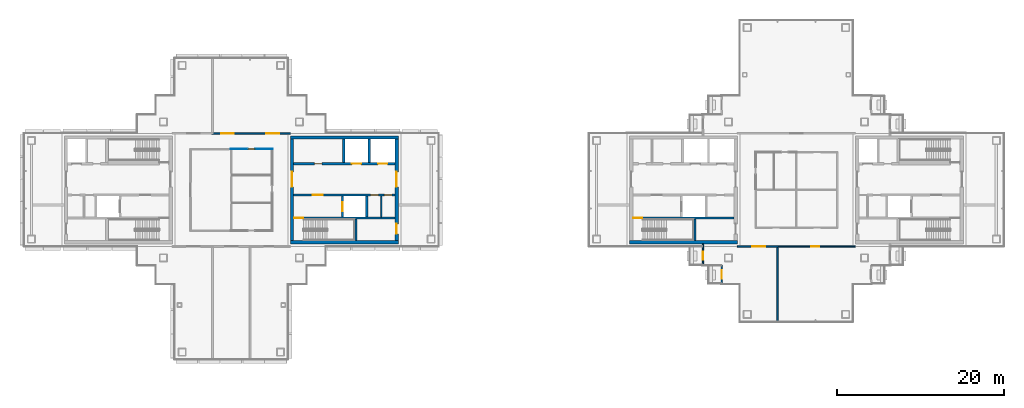
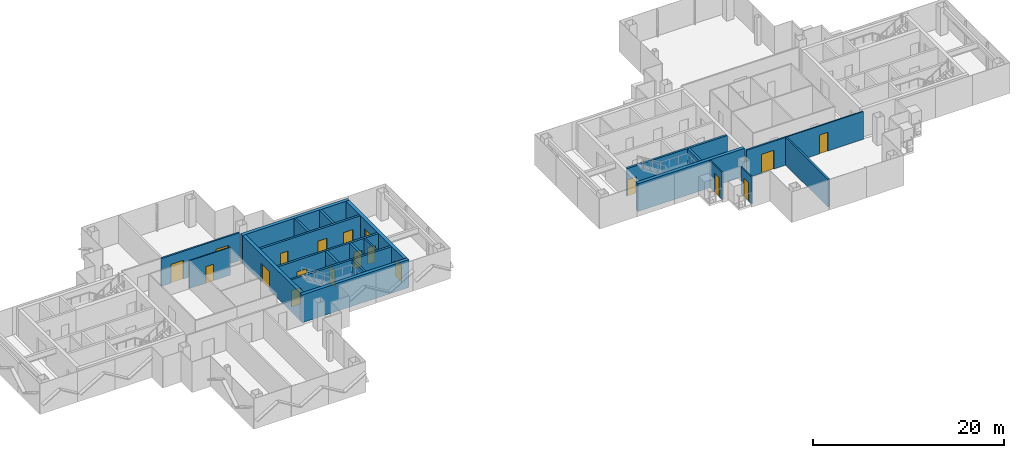
# One storey, part 10 of 17: 23 walls, 19 doors, 19 openings.
"""IFC4 building model written with IfcOpenShell, lengths in metres."""

from ifc_helpers import new_model, si_unit, direction, frame, frame_2d, origin, place, context, subcontext, project, spatial, rectangle, extrude, material, layer, layer_set, type_object, element, fill, save


model = new_model("IFC4")

# Units and contexts
model_context = context("Model", 3, precision=1e-05, world=origin(), true_north=direction((0.0, 1.0)))
body_context = subcontext(model_context, "Body", "Model", "MODEL_VIEW")
ifc_project = project(units=[si_unit("LENGTHUNIT", "METRE"), si_unit("AREAUNIT", "SQUARE_METRE"), si_unit("VOLUMEUNIT", "CUBIC_METRE"), si_unit("PLANEANGLEUNIT", "RADIAN"), si_unit("MASSUNIT", "GRAM", prefix="KILO")], contexts=[model_context])

# Site, building, storey
site_placement = place(None, origin())
site = spatial("IfcSite", under=ifc_project, at=site_placement, CompositionType="ELEMENT")
building_placement = place(site_placement, origin())
building = spatial("IfcBuilding", under=site, at=building_placement, Name="Shamsa Quay Exchange Towers", CompositionType="ELEMENT")
storey_placement = place(building_placement, frame((0.0, 0.0, 257.699951171875)))
storey = spatial("IfcBuildingStorey", under=building, at=storey_placement, Name="L62", CompositionType="ELEMENT", Elevation=257.699951171875)

# Wall, openings, doors
ifc_material_1 = material(Name="Double-leaf gypsum board partition with acoustic insulation")
ifc_layer_1 = layer(ifc_material_1, 0.199951171875)
ifc_layer_set_1 = layer_set([ifc_layer_1], Name="Acoustic partition 200 mm EI 60")
wall_type_1 = type_object("IfcWallType", Name="Acoustic partition 200 mm EI 60", PredefinedType="PARTITIONING", material=ifc_layer_set_1)
wall_1_placement = place(storey_placement, frame((-26.699951171875, 6.75, 0.0), z_axis=(0.0, 0.0, 1.0), x_axis=(-1.0, 0.0, 0.0)))
wall_1 = element("IfcWall", 1, at=wall_1_placement, inside=storey, type_object=wall_type_1, Name="Partition T1-R28-W08", PredefinedType="PARTITIONING", context=body_context, shape_type="SweptSolid", body=[
    extrude(rectangle(XDim=9.400146484375, YDim=0.199951171875, at=frame_2d((4.7001953125, 0.0))), origin(), (0.0, 0.0, 1.0), 3.550048828125),
])
opening_1_placement = place(wall_1_placement, frame((1.35009765625, 0.0, 0.0)))
opening_1 = element("IfcOpeningElement", 2, at=opening_1_placement, cuts=wall_1, Name="Opening T1-R28-D09", PredefinedType="OPENING", context=body_context, shape_type="SweptSolid", body=[
    extrude(rectangle(XDim=1.5, YDim=2.39990234375, at=frame_2d((0.75, 1.199951171875))), frame((0.0, 0.10986328125, 0.0), z_axis=(0.0, -1.0, 0.0), x_axis=(1.0, 0.0, 0.0)), (0.0, 0.0, 1.0), 0.219970703125),
])
opening_2_placement = place(wall_1_placement, frame((6.75, 0.0, 0.0)))
opening_2 = element("IfcOpeningElement", 3, at=opening_2_placement, cuts=wall_1, Name="Opening T1-R28-D10", PredefinedType="OPENING", context=body_context, shape_type="SweptSolid", body=[
    extrude(rectangle(XDim=1.5, YDim=2.39990234375, at=frame_2d((0.75, 1.199951171875))), frame((0.0, 0.10986328125, 0.0), z_axis=(0.0, -1.0, 0.0), x_axis=(1.0, 0.0, 0.0)), (0.0, 0.0, 1.0), 0.219970703125),
])
ifc_material_2 = material(Name="Timber door leaf in a metal frame", Category="wood")
door_type_1 = type_object("IfcDoorType", Name="Door 1500x2400 FD30S pair", OperationType="NOTDEFINED", PredefinedType="DOOR", material=ifc_material_2)
door_1_placement = place(opening_1_placement, origin())
door_1 = element("IfcDoor", 4, at=door_1_placement, inside=storey, type_object=door_type_1, Name="Door T1-R28-D09", OperationType="DOUBLE_DOOR_SINGLE_SWING", OverallHeight=2.39990234375, OverallWidth=1.5, PredefinedType="DOOR", context=body_context, shape_type="SweptSolid", body=[
    extrude(rectangle(XDim=1.5, YDim=2.39990234375, at=frame_2d((0.75, 1.199951171875))), frame((0.0, 0.02490234375, 0.0), z_axis=(0.0, -1.0, 0.0), x_axis=(1.0, 0.0, 0.0)), (0.0, 0.0, 1.0), 0.050048828125),
])
fill(opening_1, door_1)
door_2_placement = place(opening_2_placement, origin())
door_2 = element("IfcDoor", 5, at=door_2_placement, inside=storey, type_object=door_type_1, Name="Door T1-R28-D10", OperationType="DOUBLE_DOOR_SINGLE_SWING", OverallHeight=2.39990234375, OverallWidth=1.5, PredefinedType="DOOR", context=body_context, shape_type="SweptSolid", body=[
    extrude(rectangle(XDim=1.5, YDim=2.39990234375, at=frame_2d((0.75, 1.199951171875))), frame((0.0, 0.02490234375, 0.0), z_axis=(0.0, -1.0, 0.0), x_axis=(1.0, 0.0, 0.0)), (0.0, 0.0, 1.0), 0.050048828125),
])
fill(opening_2, door_2)

# Wall, opening, door
wall_2_placement = place(storey_placement, frame((31.60009765625, -6.75, 0.0), z_axis=(0.0, 0.0, 1.0), x_axis=(-1.0, 0.0, 0.0)))
wall_2 = element("IfcWall", 6, at=wall_2_placement, inside=storey, type_object=wall_type_1, Name="Partition T2-R28-W09", PredefinedType="PARTITIONING", context=body_context, shape_type="SweptSolid", body=[
    extrude(rectangle(XDim=4.900146484375, YDim=0.199951171875, at=frame_2d((2.4501953125, 0.0))), origin(), (0.0, 0.0, 1.0), 3.550048828125),
])
opening_3_placement = place(wall_2_placement, frame((1.60009765625, 0.0, 0.0)))
opening_3 = element("IfcOpeningElement", 7, at=opening_3_placement, cuts=wall_2, Name="Opening T2-R28-D08", PredefinedType="OPENING", context=body_context, shape_type="SweptSolid", body=[
    extrude(rectangle(XDim=1.5, YDim=2.39990234375, at=frame_2d((0.75, 1.199951171875))), frame((0.0, 0.10986328125, 0.0), z_axis=(0.0, -1.0, 0.0), x_axis=(1.0, 0.0, 0.0)), (0.0, 0.0, 1.0), 0.219970703125),
])
door_3_placement = place(opening_3_placement, origin())
door_3 = element("IfcDoor", 8, at=door_3_placement, inside=storey, type_object=door_type_1, Name="Door T2-R28-D08", OperationType="DOUBLE_DOOR_SINGLE_SWING", OverallHeight=2.39990234375, OverallWidth=1.5, PredefinedType="DOOR", context=body_context, shape_type="SweptSolid", body=[
    extrude(rectangle(XDim=1.5, YDim=2.39990234375, at=frame_2d((0.75, 1.199951171875))), frame((0.0, 0.02490234375, 0.0), z_axis=(0.0, -1.0, 0.0), x_axis=(1.0, 0.0, 0.0)), (0.0, 0.0, 1.0), 0.050048828125),
])
fill(opening_3, door_3)

# Wall
wall_3_placement = place(storey_placement, frame((31.5, -6.85009765625, 0.0), z_axis=(0.0, 0.0, 1.0), x_axis=(0.0, -1.0, 0.0)))
element("IfcWall", 9, at=wall_3_placement, inside=storey, type_object=wall_type_1, Name="Partition T2-R28-W13", PredefinedType="PARTITIONING", context=body_context, shape_type="SweptSolid", body=[
    extrude(rectangle(XDim=8.804931640625, YDim=0.199951171875, at=frame_2d((4.40234375, 0.0))), origin(), (0.0, 0.0, 1.0), 3.550048828125),
])

# Wall, opening, door
ifc_material_3 = material(Name="Aluminium EN AW-6063 T6, black anodised, with black enamelled glass infill", Category="aluminium")
ifc_layer_2 = layer(ifc_material_3, 0.14990234375)
ifc_layer_set_2 = layer_set([ifc_layer_2], Name="BALCONY DOOR BAY WALL 150")
wall_type_2 = type_object("IfcWallType", Name="BALCONY DOOR BAY WALL 150", PredefinedType="SOLIDWALL", material=ifc_layer_set_2)
wall_4_placement = place(storey_placement, frame((22.574951171875, -9.0, 0.0), z_axis=(0.0, 0.0, 1.0), x_axis=(0.0, 1.0, 0.0)))
wall_4 = element("IfcWall", 10, at=wall_4_placement, inside=storey, type_object=wall_type_2, Name="Door bay T2-PKWN L62", PredefinedType="SOLIDWALL", context=body_context, shape_type="SweptSolid", body=[
    extrude(rectangle(XDim=2.556884765625, YDim=0.14990234375, at=frame_2d((1.2783203125, 0.0))), origin(), (0.0, 0.0, 1.0), 3.449951171875),
])
opening_4_placement = place(wall_4_placement, frame((0.625, 0.0, 0.0)))
opening_4 = element("IfcOpeningElement", 11, at=opening_4_placement, cuts=wall_4, Name="Opening XD421", PredefinedType="OPENING", context=body_context, shape_type="SweptSolid", body=[
    extrude(rectangle(XDim=1.0, YDim=2.39990234375, at=frame_2d((0.5, 1.199951171875))), frame((0.0, 0.0849609375, 0.0), z_axis=(0.0, -1.0, 0.0), x_axis=(1.0, 0.0, 0.0)), (0.0, 0.0, 1.0), 0.169921875),
])
ifc_material_4 = material(Name="Aluminium EN AW-6063 T6, black anodised, with laminated glass leaf", Category="aluminium")
door_type_2 = type_object("IfcDoorType", Name="BALCONY DOOR 1000x2400", OperationType="SINGLE_SWING_LEFT", PredefinedType="DOOR", material=ifc_material_4)
door_4_placement = place(opening_4_placement, origin())
door_4 = element("IfcDoor", 12, at=door_4_placement, inside=storey, type_object=door_type_2, Name="Balcony door T2-PKWN L62", OperationType="SINGLE_SWING_LEFT", OverallHeight=2.39990234375, OverallWidth=1.0, PredefinedType="DOOR", context=body_context, shape_type="SweptSolid", body=[
    extrude(rectangle(XDim=1.0, YDim=2.39990234375, at=frame_2d((0.5, 1.199951171875))), frame((0.0, 0.02490234375, 0.0), z_axis=(0.0, -1.0, 0.0), x_axis=(1.0, 0.0, 0.0)), (0.0, 0.0, 1.0), 0.050048828125),
])
fill(opening_4, door_4)

wall_5_placement = place(storey_placement, frame((24.824951171875, -11.25, 0.0), z_axis=(0.0, 0.0, 1.0), x_axis=(0.0, 1.0, 0.0)))
wall_5 = element("IfcWall", 13, at=wall_5_placement, inside=storey, type_object=wall_type_2, Name="Door bay T2-PKWN L62", PredefinedType="SOLIDWALL", context=body_context, shape_type="SweptSolid", body=[
    extrude(rectangle(XDim=2.25, YDim=0.14990234375, at=frame_2d((1.125, 0.0))), origin(), (0.0, 0.0, 1.0), 3.449951171875),
])
opening_5_placement = place(wall_5_placement, frame((0.625, 0.0, 0.0)))
opening_5 = element("IfcOpeningElement", 14, at=opening_5_placement, cuts=wall_5, Name="Opening XD422", PredefinedType="OPENING", context=body_context, shape_type="SweptSolid", body=[
    extrude(rectangle(XDim=1.0, YDim=2.39990234375, at=frame_2d((0.5, 1.199951171875))), frame((0.0, 0.0849609375, 0.0), z_axis=(0.0, -1.0, 0.0), x_axis=(1.0, 0.0, 0.0)), (0.0, 0.0, 1.0), 0.169921875),
])
door_5_placement = place(opening_5_placement, origin())
door_5 = element("IfcDoor", 15, at=door_5_placement, inside=storey, type_object=door_type_2, Name="Balcony door T2-PKWN L62", OperationType="SINGLE_SWING_RIGHT", OverallHeight=2.39990234375, OverallWidth=1.0, PredefinedType="DOOR", context=body_context, shape_type="SweptSolid", body=[
    extrude(rectangle(XDim=1.0, YDim=2.39990234375, at=frame_2d((0.5, 1.199951171875))), frame((0.0, 0.02490234375, 0.0), z_axis=(0.0, -1.0, 0.0), x_axis=(1.0, 0.0, 0.0)), (0.0, 0.0, 1.0), 0.050048828125),
])
fill(opening_5, door_5)

# Walls
ifc_material_5 = material(Name="Concrete C60/75", Category="concrete")
ifc_layer_3 = layer(ifc_material_5, 0.39990234375)
ifc_layer_set_3 = layer_set([ifc_layer_3], Name="CORE WALL 400 C60/75")
wall_type_3 = type_object("IfcWallType", Name="CORE WALL 400 C60/75", PredefinedType="SHEAR", material=ifc_layer_set_3)
for number, where, name in (
    (16, (-26.699951171875, -6.25, 0.0), "Core wall T1A-R28-PS"),
    (17, (-26.699951171875, 6.25, 0.0), "Core wall T1A-R28-PN"),
):
    element("IfcWall", number, at=place(storey_placement, frame(where)), inside=storey, type_object=wall_type_3, Name=name, PredefinedType="SHEAR", context=body_context, shape_type="SweptSolid", body=[
        extrude(rectangle(XDim=12.89990234375, YDim=0.39990234375, at=frame_2d((6.449951171875, 0.0))), origin(), (0.0, 0.0, 1.0), 3.550048828125),
    ])

# Wall, opening, door
wall_6_placement = place(storey_placement, frame((-26.5, 6.050048828125, 0.0), z_axis=(0.0, 0.0, 1.0), x_axis=(0.0, -1.0, 0.0)))
wall_6 = element("IfcWall", 18, at=wall_6_placement, inside=storey, type_object=wall_type_3, Name="Core wall T1A-R28-PF", PredefinedType="SHEAR", context=body_context, shape_type="SweptSolid", body=[
    extrude(rectangle(XDim=12.10009765625, YDim=0.39990234375, at=frame_2d((6.050048828125, 0.0))), origin(), (0.0, 0.0, 1.0), 3.550048828125),
])
opening_6_placement = place(wall_6_placement, frame((3.89990234375, 0.0, 0.0)))
opening_6 = element("IfcOpeningElement", 19, at=opening_6_placement, cuts=wall_6, Name="Opening T1A-R28-LBD01", PredefinedType="OPENING", context=body_context, shape_type="SweptSolid", body=[
    extrude(rectangle(XDim=1.800048828125, YDim=2.39990234375, at=frame_2d((0.89990234375, 1.199951171875))), frame((0.0, 0.2099609375, 0.0), z_axis=(0.0, -1.0, 0.0), x_axis=(1.0, 0.0, 0.0)), (0.0, 0.0, 1.0), 0.419921875),
])
ifc_material_6 = material(Name="Steel, fire rated", Category="steel")
door_type_3 = type_object("IfcDoorType", Name="LIFT LOBBY DOOR PAIR 1800", OperationType="DOUBLE_DOOR_SINGLE_SWING", PredefinedType="DOOR", material=ifc_material_6)
door_6_placement = place(opening_6_placement, origin())
door_6 = element("IfcDoor", 20, at=door_6_placement, inside=storey, type_object=door_type_3, Name="T1A-R28-LBD01", OperationType="DOUBLE_DOOR_SINGLE_SWING", OverallHeight=2.39990234375, OverallWidth=1.800048828125, PredefinedType="DOOR", context=body_context, shape_type="SweptSolid", body=[
    extrude(rectangle(XDim=1.800048828125, YDim=2.39990234375, at=frame_2d((0.89990234375, 1.199951171875))), frame((0.0, 0.02490234375, 0.0), z_axis=(0.0, -1.0, 0.0), x_axis=(1.0, 0.0, 0.0)), (0.0, 0.0, 1.0), 0.050048828125),
])
fill(opening_6, door_6)

# Wall, openings, doors
wall_7_placement = place(storey_placement, frame((-14.0, 6.050048828125, 0.0), z_axis=(0.0, 0.0, 1.0), x_axis=(0.0, -1.0, 0.0)))
wall_7 = element("IfcWall", 21, at=wall_7_placement, inside=storey, type_object=wall_type_3, Name="Core wall T1A-R28-PB", PredefinedType="SHEAR", context=body_context, shape_type="SweptSolid", body=[
    extrude(rectangle(XDim=12.10009765625, YDim=0.39990234375, at=frame_2d((6.050048828125, 0.0))), origin(), (0.0, 0.0, 1.0), 3.550048828125),
])
opening_7_placement = place(wall_7_placement, frame((10.10009765625, 0.0, 0.0)))
opening_7 = element("IfcOpeningElement", 22, at=opening_7_placement, cuts=wall_7, Name="Opening T1A-R28-RD02", PredefinedType="OPENING", context=body_context, shape_type="SweptSolid", body=[
    extrude(rectangle(XDim=1.199951171875, YDim=2.10009765625, at=frame_2d((0.60009765625, 1.050048828125))), frame((0.0, 0.2099609375, 0.0), z_axis=(0.0, -1.0, 0.0), x_axis=(1.0, 0.0, 0.0)), (0.0, 0.0, 1.0), 0.419921875),
])
opening_8_placement = place(wall_7_placement, frame((3.89990234375, 0.0, 0.0)))
opening_8 = element("IfcOpeningElement", 23, at=opening_8_placement, cuts=wall_7, Name="Opening T1A-R28-LBD03", PredefinedType="OPENING", context=body_context, shape_type="SweptSolid", body=[
    extrude(rectangle(XDim=1.800048828125, YDim=2.39990234375, at=frame_2d((0.89990234375, 1.199951171875))), frame((0.0, 0.2099609375, 0.0), z_axis=(0.0, -1.0, 0.0), x_axis=(1.0, 0.0, 0.0)), (0.0, 0.0, 1.0), 0.419921875),
])
door_7_placement = place(opening_8_placement, origin())
door_7 = element("IfcDoor", 24, at=door_7_placement, inside=storey, type_object=door_type_3, Name="T1A-R28-LBD03", OperationType="DOUBLE_DOOR_SINGLE_SWING", OverallHeight=2.39990234375, OverallWidth=1.800048828125, PredefinedType="DOOR", context=body_context, shape_type="SweptSolid", body=[
    extrude(rectangle(XDim=1.800048828125, YDim=2.39990234375, at=frame_2d((0.89990234375, 1.199951171875))), frame((0.0, 0.02490234375, 0.0), z_axis=(0.0, -1.0, 0.0), x_axis=(1.0, 0.0, 0.0)), (0.0, 0.0, 1.0), 0.050048828125),
])
fill(opening_8, door_7)
door_type_4 = type_object("IfcDoorType", Name="RISER ACCESS DOOR 1200", OperationType="SINGLE_SWING_LEFT", PredefinedType="DOOR", material=ifc_material_6)
door_8_placement = place(opening_7_placement, origin())
door_8 = element("IfcDoor", 25, at=door_8_placement, inside=storey, type_object=door_type_4, Name="T1A-R28-RD02", OperationType="SINGLE_SWING_RIGHT", OverallHeight=2.10009765625, OverallWidth=1.199951171875, PredefinedType="DOOR", context=body_context, shape_type="SweptSolid", body=[
    extrude(rectangle(XDim=1.199951171875, YDim=2.10009765625, at=frame_2d((0.60009765625, 1.050048828125))), frame((0.0, 0.02490234375, 0.0), z_axis=(0.0, -1.0, 0.0), x_axis=(1.0, 0.0, 0.0)), (0.0, 0.0, 1.0), 0.050048828125),
])
fill(opening_7, door_8)

# Walls
wall_8_placement = place(storey_placement, frame((13.800048828125, -6.25, 0.0)))
element("IfcWall", 26, at=wall_8_placement, inside=storey, type_object=wall_type_3, Name="Core wall T2A-R28-PS", PredefinedType="SHEAR", context=body_context, shape_type="SweptSolid", body=[
    extrude(rectangle(XDim=12.89990234375, YDim=0.39990234375, at=frame_2d((6.449951171875, 0.0))), origin(), (0.0, 0.0, 1.0), 3.550048828125),
])
ifc_material_7 = material(Name="Gypsum board on steel studs, EI 60", Category="steel")
ifc_layer_4 = layer(ifc_material_7, 0.14990234375)
ifc_layer_set_4 = layer_set([ifc_layer_4], Name="FIRE PARTITION 150")
wall_type_4 = type_object("IfcWallType", Name="FIRE PARTITION 150", PredefinedType="PARTITIONING", material=ifc_layer_set_4)
wall_9_placement = place(storey_placement, frame((-15.85009765625, -3.25, 0.0), z_axis=(0.0, 0.0, 1.0), x_axis=(0.0, 1.0, 0.0)))
element("IfcWall", 27, at=wall_9_placement, inside=storey, type_object=wall_type_4, Name="Partition T1A-R28-EC0", PredefinedType="PARTITIONING", context=body_context, shape_type="SweptSolid", body=[
    extrude(rectangle(XDim=2.5, YDim=0.14990234375, at=frame_2d((1.25, 0.0))), origin(), (0.0, 0.0, 1.0), 3.550048828125),
])

# Wall, opening, door
ifc_material_8 = material(Name="Gypsum board partition on metal studs")
ifc_layer_5 = layer(ifc_material_8, 0.10009765625)
ifc_layer_set_5 = layer_set([ifc_layer_5], Name="Partition 100 mm NOT RATED")
wall_type_5 = type_object("IfcWallType", Name="Partition 100 mm NOT RATED", PredefinedType="PARTITIONING", material=ifc_layer_set_5)
wall_10_placement = place(storey_placement, frame((-28.824951171875, 4.875, 0.0), z_axis=(0.0, 0.0, 1.0), x_axis=(-1.0, 0.0, 0.0)))
wall_10 = element("IfcWall", 28, at=wall_10_placement, inside=storey, type_object=wall_type_5, Name="Partition T1-R28-W06", PredefinedType="PARTITIONING", context=body_context, shape_type="SweptSolid", body=[
    extrude(rectangle(XDim=4.987548828125, YDim=0.10009765625, at=frame_2d((2.49365234375, 0.0))), origin(), (0.0, 0.0, 1.0), 3.550048828125),
])
opening_9_placement = place(wall_10_placement, frame((2.03759765625, 0.0, 0.0)))
opening_9 = element("IfcOpeningElement", 29, at=opening_9_placement, cuts=wall_10, Name="Opening T1-R28-D07", PredefinedType="OPENING", context=body_context, shape_type="SweptSolid", body=[
    extrude(rectangle(XDim=0.89990234375, YDim=2.10009765625, at=frame_2d((0.449951171875, 1.050048828125))), frame((0.0, 0.06005859375, 0.0), z_axis=(0.0, -1.0, 0.0), x_axis=(1.0, 0.0, 0.0)), (0.0, 0.0, 1.0), 0.1201171875),
])
door_type_5 = type_object("IfcDoorType", Name="Door 900x2100 NOT RATED", OperationType="NOTDEFINED", PredefinedType="DOOR", material=ifc_material_2)
door_9_placement = place(opening_9_placement, origin())
door_9 = element("IfcDoor", 30, at=door_9_placement, inside=storey, type_object=door_type_5, Name="Door T1-R28-D07", OperationType="SINGLE_SWING_LEFT", OverallHeight=2.10009765625, OverallWidth=0.89990234375, PredefinedType="DOOR", context=body_context, shape_type="SweptSolid", body=[
    extrude(rectangle(XDim=0.89990234375, YDim=2.10009765625, at=frame_2d((0.449951171875, 1.050048828125))), frame((0.0, 0.02490234375, 0.0), z_axis=(0.0, -1.0, 0.0), x_axis=(1.0, 0.0, 0.0)), (0.0, 0.0, 1.0), 0.050048828125),
])
fill(opening_9, door_9)

ifc_layer_6 = layer(ifc_material_8, 0.14990234375)
ifc_layer_set_6 = layer_set([ifc_layer_6], Name="Partition 150 mm EI 60")
wall_type_6 = type_object("IfcWallType", Name="Partition 150 mm EI 60", PredefinedType="PARTITIONING", material=ifc_layer_set_6)
wall_11_placement = place(storey_placement, frame((40.800048828125, -6.75, 0.0), z_axis=(0.0, 0.0, 1.0), x_axis=(-1.0, 0.0, 0.0)))
wall_11 = element("IfcWall", 31, at=wall_11_placement, inside=storey, type_object=wall_type_6, Name="Partition T2-R28-W08", PredefinedType="PARTITIONING", context=body_context, shape_type="SweptSolid", body=[
    extrude(rectangle(XDim=9.400146484375, YDim=0.14990234375, at=frame_2d((4.7001953125, 0.0))), origin(), (0.0, 0.0, 1.0), 3.550048828125),
])
opening_10_placement = place(wall_11_placement, frame((4.300048828125, 0.0, 0.0)))
opening_10 = element("IfcOpeningElement", 32, at=opening_10_placement, cuts=wall_11, Name="Opening T2-R28-D05", PredefinedType="OPENING", context=body_context, shape_type="SweptSolid", body=[
    extrude(rectangle(XDim=1.0, YDim=2.39990234375, at=frame_2d((0.5, 1.199951171875))), frame((0.0, 0.0849609375, 0.0), z_axis=(0.0, -1.0, 0.0), x_axis=(1.0, 0.0, 0.0)), (0.0, 0.0, 1.0), 0.169921875),
])
door_type_6 = type_object("IfcDoorType", Name="Door 1000x2400 FD30S", OperationType="NOTDEFINED", PredefinedType="DOOR", material=ifc_material_2)
door_10_placement = place(opening_10_placement, origin())
door_10 = element("IfcDoor", 33, at=door_10_placement, inside=storey, type_object=door_type_6, Name="Door T2-R28-D05", OperationType="SINGLE_SWING_RIGHT", OverallHeight=2.39990234375, OverallWidth=1.0, PredefinedType="DOOR", context=body_context, shape_type="SweptSolid", body=[
    extrude(rectangle(XDim=1.0, YDim=2.39990234375, at=frame_2d((0.5, 1.199951171875))), frame((0.0, 0.02490234375, 0.0), z_axis=(0.0, -1.0, 0.0), x_axis=(1.0, 0.0, 0.0)), (0.0, 0.0, 1.0), 0.050048828125),
])
fill(opening_10, door_10)

ifc_material_9 = material(Name="Concrete C50/60", Category="concrete")
ifc_layer_7 = layer(ifc_material_9, 0.25)
ifc_layer_set_7 = layer_set([ifc_layer_7], Name="SHAFT WALL 250 C50/60")
wall_type_7 = type_object("IfcWallType", Name="SHAFT WALL 250 C50/60", PredefinedType="SHEAR", material=ifc_layer_set_7)
wall_12_placement = place(storey_placement, frame((-14.199951171875, -3.375, 0.0), z_axis=(0.0, 0.0, 1.0), x_axis=(-1.0, 0.0, 0.0)))
wall_12 = element("IfcWall", 34, at=wall_12_placement, inside=storey, type_object=wall_type_7, Name="Shaft wall T1A-R28-STL", PredefinedType="SHEAR", context=body_context, shape_type="SweptSolid", body=[
    extrude(rectangle(XDim=12.10009765625, YDim=0.25, at=frame_2d((6.050048828125, 0.0))), origin(), (0.0, 0.0, 1.0), 3.550048828125),
])
opening_11_placement = place(wall_12_placement, frame((10.949951171875, 0.0, 0.0)))
opening_11 = element("IfcOpeningElement", 35, at=opening_11_placement, cuts=wall_12, Name="Opening T1A-R28-SD04", PredefinedType="OPENING", context=body_context, shape_type="SweptSolid", body=[
    extrude(rectangle(XDim=1.10009765625, YDim=2.10009765625, at=frame_2d((0.550048828125, 1.050048828125))), frame((0.0, 0.135009765625, 0.0), z_axis=(0.0, -1.0, 0.0), x_axis=(1.0, 0.0, 0.0)), (0.0, 0.0, 1.0), 0.27001953125),
])
door_type_7 = type_object("IfcDoorType", Name="STAIR DOOR 1100", OperationType="SINGLE_SWING_LEFT", PredefinedType="DOOR", material=ifc_material_6)
door_11_placement = place(opening_11_placement, origin())
door_11 = element("IfcDoor", 36, at=door_11_placement, inside=storey, type_object=door_type_7, Name="T1A-R28-SD04", OperationType="SINGLE_SWING_RIGHT", OverallHeight=2.10009765625, OverallWidth=1.10009765625, PredefinedType="DOOR", context=body_context, shape_type="SweptSolid", body=[
    extrude(rectangle(XDim=1.10009765625, YDim=2.10009765625, at=frame_2d((0.550048828125, 1.050048828125))), frame((0.0, 0.02490234375, 0.0), z_axis=(0.0, -1.0, 0.0), x_axis=(1.0, 0.0, 0.0)), (0.0, 0.0, 1.0), 0.050048828125),
])
fill(opening_11, door_11)

# Wall
wall_13_placement = place(storey_placement, frame((-18.875, -6.050048828125, 0.0), z_axis=(0.0, 0.0, 1.0), x_axis=(0.0, 1.0, 0.0)))
element("IfcWall", 37, at=wall_13_placement, inside=storey, type_object=wall_type_7, Name="Shaft wall T1A-R28-STF", PredefinedType="SHEAR", context=body_context, shape_type="SweptSolid", body=[
    extrude(rectangle(XDim=2.550048828125, YDim=0.25, at=frame_2d((1.27490234375, 0.0))), origin(), (0.0, 0.0, 1.0), 3.550048828125),
])

# Wall, openings, doors
wall_14_placement = place(storey_placement, frame((-14.199951171875, -0.625, 0.0), z_axis=(0.0, 0.0, 1.0), x_axis=(-1.0, 0.0, 0.0)))
wall_14 = element("IfcWall", 38, at=wall_14_placement, inside=storey, type_object=wall_type_7, Name="Shaft wall T1A-R28-B", PredefinedType="SHEAR", context=body_context, shape_type="SweptSolid", body=[
    extrude(rectangle(XDim=12.10009765625, YDim=0.25, at=frame_2d((6.050048828125, 0.0))), origin(), (0.0, 0.0, 1.0), 3.550048828125),
])
opening_12_placement = place(wall_14_placement, frame((8.64990234375, 0.0, 0.0)))
opening_12 = element("IfcOpeningElement", 39, at=opening_12_placement, cuts=wall_14, Name="Opening T1A-R28-FD05", PredefinedType="OPENING", context=body_context, shape_type="SweptSolid", body=[
    extrude(rectangle(XDim=1.199951171875, YDim=2.10009765625, at=frame_2d((0.60009765625, 1.050048828125))), frame((0.0, 0.135009765625, 0.0), z_axis=(0.0, -1.0, 0.0), x_axis=(1.0, 0.0, 0.0)), (0.0, 0.0, 1.0), 0.27001953125),
])
opening_13_placement = place(wall_14_placement, frame((2.0, 0.0, 0.0)))
opening_13 = element("IfcOpeningElement", 40, at=opening_13_placement, cuts=wall_14, Name="Opening T1A-R28-SV06", PredefinedType="OPENING", context=body_context, shape_type="SweptSolid", body=[
    extrude(rectangle(XDim=0.89990234375, YDim=2.10009765625, at=frame_2d((0.449951171875, 1.050048828125))), frame((0.0, 0.135009765625, 0.0), z_axis=(0.0, -1.0, 0.0), x_axis=(1.0, 0.0, 0.0)), (0.0, 0.0, 1.0), 0.27001953125),
])
opening_14_placement = place(wall_14_placement, frame((0.375, 0.0, 0.0)))
opening_14 = element("IfcOpeningElement", 41, at=opening_14_placement, cuts=wall_14, Name="Opening T1A-R28-SV07", PredefinedType="OPENING", context=body_context, shape_type="SweptSolid", body=[
    extrude(rectangle(XDim=0.89990234375, YDim=2.10009765625, at=frame_2d((0.449951171875, 1.050048828125))), frame((0.0, 0.135009765625, 0.0), z_axis=(0.0, -1.0, 0.0), x_axis=(1.0, 0.0, 0.0)), (0.0, 0.0, 1.0), 0.27001953125),
])
door_type_8 = type_object("IfcDoorType", Name="FIRE SERVICE LOBBY DOOR 1200", OperationType="SINGLE_SWING_LEFT", PredefinedType="DOOR", material=ifc_material_6)
door_12_placement = place(opening_12_placement, origin())
door_12 = element("IfcDoor", 42, at=door_12_placement, inside=storey, type_object=door_type_8, Name="T1A-R28-FD05", OperationType="SINGLE_SWING_RIGHT", OverallHeight=2.10009765625, OverallWidth=1.199951171875, PredefinedType="DOOR", context=body_context, shape_type="SweptSolid", body=[
    extrude(rectangle(XDim=1.199951171875, YDim=2.10009765625, at=frame_2d((0.60009765625, 1.050048828125))), frame((0.0, 0.02490234375, 0.0), z_axis=(0.0, -1.0, 0.0), x_axis=(1.0, 0.0, 0.0)), (0.0, 0.0, 1.0), 0.050048828125),
])
fill(opening_12, door_12)
door_type_9 = type_object("IfcDoorType", Name="SERVICE ROOM DOOR 900", OperationType="SINGLE_SWING_LEFT", PredefinedType="DOOR", material=ifc_material_6)
door_13_placement = place(opening_13_placement, origin())
door_13 = element("IfcDoor", 43, at=door_13_placement, inside=storey, type_object=door_type_9, Name="T1A-R28-SV06", OperationType="SINGLE_SWING_LEFT", OverallHeight=2.10009765625, OverallWidth=0.89990234375, PredefinedType="DOOR", context=body_context, shape_type="SweptSolid", body=[
    extrude(rectangle(XDim=0.89990234375, YDim=2.10009765625, at=frame_2d((0.449951171875, 1.050048828125))), frame((0.0, 0.02490234375, 0.0), z_axis=(0.0, -1.0, 0.0), x_axis=(1.0, 0.0, 0.0)), (0.0, 0.0, 1.0), 0.050048828125),
])
fill(opening_13, door_13)
door_14_placement = place(opening_14_placement, origin())
door_14 = element("IfcDoor", 44, at=door_14_placement, inside=storey, type_object=door_type_9, Name="T1A-R28-SV07", OperationType="SINGLE_SWING_LEFT", OverallHeight=2.10009765625, OverallWidth=0.89990234375, PredefinedType="DOOR", context=body_context, shape_type="SweptSolid", body=[
    extrude(rectangle(XDim=0.89990234375, YDim=2.10009765625, at=frame_2d((0.449951171875, 1.050048828125))), frame((0.0, 0.02490234375, 0.0), z_axis=(0.0, -1.0, 0.0), x_axis=(1.0, 0.0, 0.0)), (0.0, 0.0, 1.0), 0.050048828125),
])
fill(opening_14, door_14)

# Wall, opening, door
wall_15_placement = place(storey_placement, frame((-20.47509765625, -3.25, 0.0), z_axis=(0.0, 0.0, 1.0), x_axis=(0.0, 1.0, 0.0)))
wall_15 = element("IfcWall", 45, at=wall_15_placement, inside=storey, type_object=wall_type_7, Name="Shaft wall T1A-R28-FFF", PredefinedType="SHEAR", context=body_context, shape_type="SweptSolid", body=[
    extrude(rectangle(XDim=2.5, YDim=0.25, at=frame_2d((1.25, 0.0))), origin(), (0.0, 0.0, 1.0), 3.550048828125),
])
opening_15_placement = place(wall_15_placement, frame((0.699951171875, 0.0, 0.0)))
opening_15 = element("IfcOpeningElement", 46, at=opening_15_placement, cuts=wall_15, Name="Opening T1A-R28-LDF08", PredefinedType="OPENING", context=body_context, shape_type="SweptSolid", body=[
    extrude(rectangle(XDim=1.10009765625, YDim=2.10009765625, at=frame_2d((0.550048828125, 1.050048828125))), frame((0.0, 0.135009765625, 0.0), z_axis=(0.0, -1.0, 0.0), x_axis=(1.0, 0.0, 0.0)), (0.0, 0.0, 1.0), 0.27001953125),
])
door_type_10 = type_object("IfcDoorType", Name="FIRE SERVICE LANDING DOOR 1100", OperationType="SLIDING_TO_LEFT", PredefinedType="DOOR", material=ifc_material_6)
door_15_placement = place(opening_15_placement, origin())
door_15 = element("IfcDoor", 47, at=door_15_placement, inside=storey, type_object=door_type_10, Name="T1A-R28-LDF08", OperationType="SLIDING_TO_LEFT", OverallHeight=2.10009765625, OverallWidth=1.10009765625, PredefinedType="DOOR", context=body_context, shape_type="SweptSolid", body=[
    extrude(rectangle(XDim=1.10009765625, YDim=2.10009765625, at=frame_2d((0.550048828125, 1.050048828125))), frame((0.0, 0.02490234375, 0.0), z_axis=(0.0, -1.0, 0.0), x_axis=(1.0, 0.0, 0.0)), (0.0, 0.0, 1.0), 0.050048828125),
])
fill(opening_15, door_15)

# Wall
wall_16_placement = place(storey_placement, frame((-17.574951171875, -3.25, 0.0), z_axis=(0.0, 0.0, 1.0), x_axis=(0.0, 1.0, 0.0)))
element("IfcWall", 48, at=wall_16_placement, inside=storey, type_object=wall_type_7, Name="Shaft wall T1A-R28-FFB", PredefinedType="SHEAR", context=body_context, shape_type="SweptSolid", body=[
    extrude(rectangle(XDim=2.5, YDim=0.25, at=frame_2d((1.25, 0.0))), origin(), (0.0, 0.0, 1.0), 3.550048828125),
])

# Wall, openings, doors
wall_17_placement = place(storey_placement, frame((-26.300048828125, 3.125, 0.0)))
wall_17 = element("IfcWall", 49, at=wall_17_placement, inside=storey, type_object=wall_type_7, Name="Shaft wall T1A-R28-N", PredefinedType="SHEAR", context=body_context, shape_type="SweptSolid", body=[
    extrude(rectangle(XDim=12.10009765625, YDim=0.25, at=frame_2d((6.050048828125, 0.0))), origin(), (0.0, 0.0, 1.0), 3.550048828125),
])
opening_16_placement = place(wall_17_placement, frame((6.949951171875, 0.0, 0.0)))
opening_16 = element("IfcOpeningElement", 50, at=opening_16_placement, cuts=wall_17, Name="Opening T1A-R28-LD09", PredefinedType="OPENING", context=body_context, shape_type="SweptSolid", body=[
    extrude(rectangle(XDim=1.10009765625, YDim=2.10009765625, at=frame_2d((0.550048828125, 1.050048828125))), frame((0.0, 0.135009765625, 0.0), z_axis=(0.0, -1.0, 0.0), x_axis=(1.0, 0.0, 0.0)), (0.0, 0.0, 1.0), 0.27001953125),
])
opening_17_placement = place(wall_17_placement, frame((10.074951171875, 0.0, 0.0)))
opening_17 = element("IfcOpeningElement", 51, at=opening_17_placement, cuts=wall_17, Name="Opening T1A-R28-LD10", PredefinedType="OPENING", context=body_context, shape_type="SweptSolid", body=[
    extrude(rectangle(XDim=1.10009765625, YDim=2.10009765625, at=frame_2d((0.550048828125, 1.050048828125))), frame((0.0, 0.135009765625, 0.0), z_axis=(0.0, -1.0, 0.0), x_axis=(1.0, 0.0, 0.0)), (0.0, 0.0, 1.0), 0.27001953125),
])
opening_18_placement = place(wall_17_placement, frame((2.47509765625, 0.0, 0.0)))
opening_18 = element("IfcOpeningElement", 52, at=opening_18_placement, cuts=wall_17, Name="Opening T1A-R28-SV11", PredefinedType="OPENING", context=body_context, shape_type="SweptSolid", body=[
    extrude(rectangle(XDim=0.89990234375, YDim=2.10009765625, at=frame_2d((0.449951171875, 1.050048828125))), frame((0.0, 0.135009765625, 0.0), z_axis=(0.0, -1.0, 0.0), x_axis=(1.0, 0.0, 0.0)), (0.0, 0.0, 1.0), 0.27001953125),
])
door_type_11 = type_object("IfcDoorType", Name="LANDING DOOR 1100", OperationType="SLIDING_TO_LEFT", PredefinedType="DOOR", material=ifc_material_6)
door_16_placement = place(opening_16_placement, origin())
door_16 = element("IfcDoor", 53, at=door_16_placement, inside=storey, type_object=door_type_11, Name="T1A-R28-LD09", OperationType="SLIDING_TO_LEFT", OverallHeight=2.10009765625, OverallWidth=1.10009765625, PredefinedType="DOOR", context=body_context, shape_type="SweptSolid", body=[
    extrude(rectangle(XDim=1.10009765625, YDim=2.10009765625, at=frame_2d((0.550048828125, 1.050048828125))), frame((0.0, 0.02490234375, 0.0), z_axis=(0.0, -1.0, 0.0), x_axis=(1.0, 0.0, 0.0)), (0.0, 0.0, 1.0), 0.050048828125),
])
fill(opening_16, door_16)
door_17_placement = place(opening_17_placement, origin())
door_17 = element("IfcDoor", 54, at=door_17_placement, inside=storey, type_object=door_type_11, Name="T1A-R28-LD10", OperationType="SLIDING_TO_LEFT", OverallHeight=2.10009765625, OverallWidth=1.10009765625, PredefinedType="DOOR", context=body_context, shape_type="SweptSolid", body=[
    extrude(rectangle(XDim=1.10009765625, YDim=2.10009765625, at=frame_2d((0.550048828125, 1.050048828125))), frame((0.0, 0.02490234375, 0.0), z_axis=(0.0, -1.0, 0.0), x_axis=(1.0, 0.0, 0.0)), (0.0, 0.0, 1.0), 0.050048828125),
])
fill(opening_17, door_17)
door_18_placement = place(opening_18_placement, origin())
door_18 = element("IfcDoor", 55, at=door_18_placement, inside=storey, type_object=door_type_9, Name="T1A-R28-SV11", OperationType="SINGLE_SWING_LEFT", OverallHeight=2.10009765625, OverallWidth=0.89990234375, PredefinedType="DOOR", context=body_context, shape_type="SweptSolid", body=[
    extrude(rectangle(XDim=0.89990234375, YDim=2.10009765625, at=frame_2d((0.449951171875, 1.050048828125))), frame((0.0, 0.02490234375, 0.0), z_axis=(0.0, -1.0, 0.0), x_axis=(1.0, 0.0, 0.0)), (0.0, 0.0, 1.0), 0.050048828125),
])
fill(opening_18, door_18)

# Walls
for number, where, z_axis, x_axis, name in (
    (56, (-20.324951171875, 3.25, 0.0), (0.0, 0.0, 1.0), (0.0, 1.0, 0.0), "Shaft wall T1A-R28-D1"),
    (57, (-17.27490234375, 3.25, 0.0), (0.0, 0.0, 1.0), (0.0, 1.0, 0.0), "Shaft wall T1A-R28-D2"),
):
    element("IfcWall", number, at=place(storey_placement, frame(where, z_axis=z_axis, x_axis=x_axis)), inside=storey, type_object=wall_type_7, Name=name, PredefinedType="SHEAR", context=body_context, shape_type="SweptSolid", body=[
        extrude(rectangle(XDim=2.800048828125, YDim=0.25, at=frame_2d((1.39990234375, 0.0))), origin(), (0.0, 0.0, 1.0), 3.550048828125),
    ])

# Wall, opening, door
wall_18_placement = place(storey_placement, frame((26.300048828125, -3.375, 0.0), z_axis=(0.0, 0.0, 1.0), x_axis=(-1.0, 0.0, 0.0)))
wall_18 = element("IfcWall", 58, at=wall_18_placement, inside=storey, type_object=wall_type_7, Name="Shaft wall T2A-R28-STL", PredefinedType="SHEAR", context=body_context, shape_type="SweptSolid", body=[
    extrude(rectangle(XDim=12.10009765625, YDim=0.25, at=frame_2d((6.050048828125, 0.0))), origin(), (0.0, 0.0, 1.0), 3.550048828125),
])
opening_19_placement = place(wall_18_placement, frame((10.949951171875, 0.0, 0.0)))
opening_19 = element("IfcOpeningElement", 59, at=opening_19_placement, cuts=wall_18, Name="Opening T2A-R28-SD04", PredefinedType="OPENING", context=body_context, shape_type="SweptSolid", body=[
    extrude(rectangle(XDim=1.10009765625, YDim=2.10009765625, at=frame_2d((0.550048828125, 1.050048828125))), frame((0.0, 0.135009765625, 0.0), z_axis=(0.0, -1.0, 0.0), x_axis=(1.0, 0.0, 0.0)), (0.0, 0.0, 1.0), 0.27001953125),
])
door_19_placement = place(opening_19_placement, origin())
door_19 = element("IfcDoor", 60, at=door_19_placement, inside=storey, type_object=door_type_7, Name="T2A-R28-SD04", OperationType="SINGLE_SWING_RIGHT", OverallHeight=2.10009765625, OverallWidth=1.10009765625, PredefinedType="DOOR", context=body_context, shape_type="SweptSolid", body=[
    extrude(rectangle(XDim=1.10009765625, YDim=2.10009765625, at=frame_2d((0.550048828125, 1.050048828125))), frame((0.0, 0.02490234375, 0.0), z_axis=(0.0, -1.0, 0.0), x_axis=(1.0, 0.0, 0.0)), (0.0, 0.0, 1.0), 0.050048828125),
])
fill(opening_19, door_19)

# Wall
wall_19_placement = place(storey_placement, frame((21.625, -6.050048828125, 0.0), z_axis=(0.0, 0.0, 1.0), x_axis=(0.0, 1.0, 0.0)))
element("IfcWall", 61, at=wall_19_placement, inside=storey, type_object=wall_type_7, Name="Shaft wall T2A-R28-STF", PredefinedType="SHEAR", context=body_context, shape_type="SweptSolid", body=[
    extrude(rectangle(XDim=2.550048828125, YDim=0.25, at=frame_2d((1.27490234375, 0.0))), origin(), (0.0, 0.0, 1.0), 3.550048828125),
])

save(model, "model.ifc")
